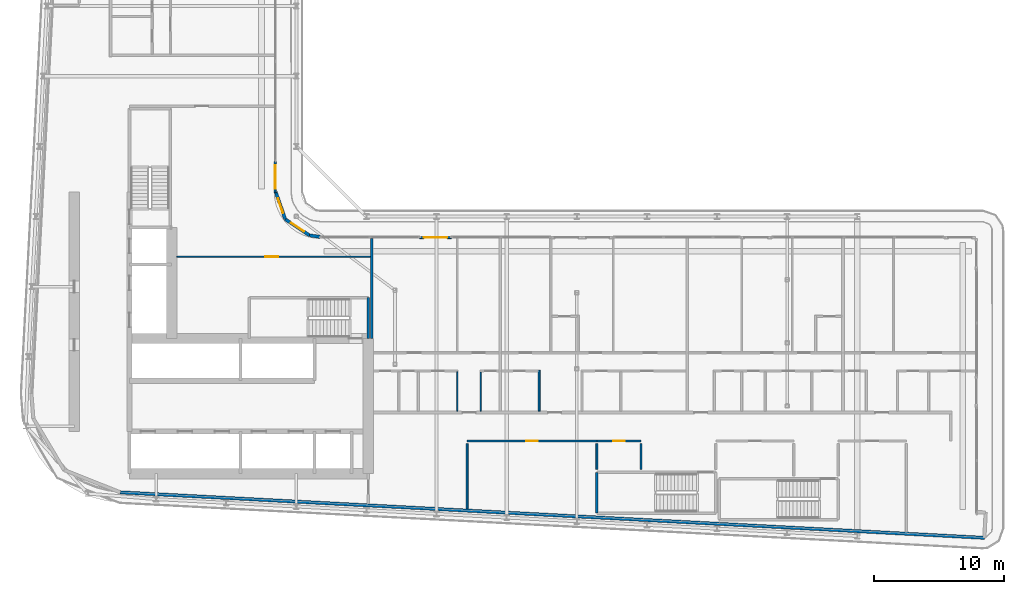
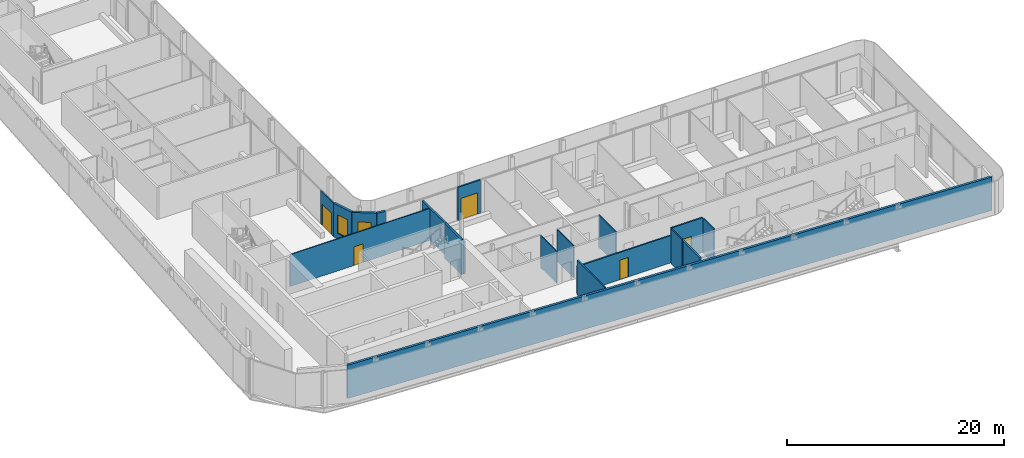
# One storey, part 16 of 29: 18 walls, 5 doors, 2 windows, 7 openings.
"""IFC4 building model written with IfcOpenShell, lengths in metres."""

from ifc_helpers import new_model, si_unit, direction, frame, frame_2d, origin, place, context, subcontext, project, spatial, rectangle, extrude, source, transform, mapped, material, layer, layer_set, type_object, element, fill, save


model = new_model("IFC4")

# Units and contexts
model_context = context("Model", 3, precision=1e-05, world=origin(), true_north=direction((0.0, 1.0)))
body_context = subcontext(model_context, "Body", "Model", "MODEL_VIEW")
ifc_project = project(units=[si_unit("LENGTHUNIT", "METRE"), si_unit("AREAUNIT", "SQUARE_METRE"), si_unit("VOLUMEUNIT", "CUBIC_METRE"), si_unit("PLANEANGLEUNIT", "RADIAN"), si_unit("MASSUNIT", "GRAM", prefix="KILO")], contexts=[model_context])

# Site, building, storey
site_placement = place(None, origin())
site = spatial("IfcSite", under=ifc_project, at=site_placement, CompositionType="ELEMENT")
building_placement = place(site_placement, origin())
building = spatial("IfcBuilding", under=site, at=building_placement, Name="Kheshtan School and Residences Tower", CompositionType="ELEMENT")
storey_placement = place(building_placement, frame((0.0, 0.0, 179.89990234375)))
storey = spatial("IfcBuildingStorey", under=building, at=storey_placement, Name="L42", CompositionType="ELEMENT", Elevation=179.89990234375)

# Wall, opening, window
ifc_material_1 = material(Name="Concrete C40/50 with ceramic cladding and mineral wool insulation", Category="concrete")
ifc_layer_1 = layer(ifc_material_1, 0.25)
ifc_layer_set_1 = layer_set([ifc_layer_1], Name="External wall 250 ceramic clad")
wall_type_1 = type_object("IfcWallType", Name="External wall 250 ceramic clad", PredefinedType="SOLIDWALL", material=ifc_layer_set_1)
wall_1_placement = place(storey_placement, frame((46.01806640625, 47.470947265625, 0.0), z_axis=(0.0, 0.0, 1.0), x_axis=(0.328791208903, -0.944402637093, 0.0)))
wall_1 = element("IfcWall", 1, at=wall_1_placement, inside=storey, type_object=wall_type_1, Name="External wall L42 9", PredefinedType="SOLIDWALL", context=body_context, shape_type="SweptSolid", body=[
    extrude(rectangle(XDim=2.20458984375, YDim=0.25, at=frame_2d((1.102294921875, 0.0))), origin(), (0.0, 0.0, 1.0), 3.75),
])
opening_1_placement = place(wall_1_placement, frame((0.5029296875, 0.0, 0.60009765625)))
opening_1 = element("IfcOpeningElement", 2, at=opening_1_placement, cuts=wall_1, Name="Opening WN-E", PredefinedType="OPENING", context=body_context, shape_type="SweptSolid", body=[
    extrude(rectangle(XDim=1.199951171875, YDim=2.10009765625, at=frame_2d((0.60009765625, 1.050048828125))), frame((0.0, 0.135009765625, 0.0), z_axis=(0.0, -1.0, 0.0), x_axis=(1.0, 0.0, 0.0)), (0.0, 0.0, 1.0), 0.27001953125),
])
ifc_material_2 = material(Name="Clear low-e glass in thermally broken aluminium frame", Category="aluminium")
window_type = type_object("IfcWindowType", Name="Window WN-E", PartitioningType="SINGLE_PANEL", PredefinedType="WINDOW", material=ifc_material_2)
shared_shape_1 = source(origin(), body_context, "Body", "SweptSolid", [
    extrude(rectangle(XDim=1.199951171875, YDim=2.10009765625, at=frame_2d((0.60009765625, 1.050048828125))), frame((0.0, 0.030029296875, 0.0), z_axis=(0.0, -1.0, 0.0), x_axis=(1.0, 0.0, 0.0)), (0.0, 0.0, 1.0), 0.06005859375),
])
window_1_placement = place(opening_1_placement, origin())
window_1 = element("IfcWindow", 3, at=window_1_placement, inside=storey, type_object=window_type, Name="Window L42 9", OverallHeight=2.10009765625, OverallWidth=1.199951171875, PartitioningType="SINGLE_PANEL", PredefinedType="WINDOW", context=body_context, shape_type="MappedRepresentation", body=[
    mapped(shared_shape_1, transform((0.0, 0.0, 0.0), x_axis=(1.0, 0.0, 0.0), y_axis=(0.0, 1.0, 0.0), z_axis=(0.0, 0.0, 1.0), scale=1.0)),
])
fill(opening_1, window_1)

wall_2_placement = place(storey_placement, frame((46.742919921875, 45.388916015625, 0.0), z_axis=(0.0, 0.0, 1.0), x_axis=(0.831449265529, -0.555600682912, 0.0)))
wall_2 = element("IfcWall", 4, at=wall_2_placement, inside=storey, type_object=wall_type_1, Name="External wall L42 10", PredefinedType="SOLIDWALL", context=body_context, shape_type="SweptSolid", body=[
    extrude(rectangle(XDim=2.25146484375, YDim=0.25, at=frame_2d((1.125732421875, 0.0))), origin(), (0.0, 0.0, 1.0), 3.75),
])
opening_2_placement = place(wall_2_placement, frame((0.52490234375, 0.0, 0.60009765625)))
opening_2 = element("IfcOpeningElement", 5, at=opening_2_placement, cuts=wall_2, Name="Opening WN-E", PredefinedType="OPENING", context=body_context, shape_type="SweptSolid", body=[
    extrude(rectangle(XDim=1.199951171875, YDim=2.10009765625, at=frame_2d((0.60009765625, 1.050048828125))), frame((0.0, 0.135009765625, 0.0), z_axis=(0.0, -1.0, 0.0), x_axis=(1.0, 0.0, 0.0)), (0.0, 0.0, 1.0), 0.27001953125),
])
window_2_placement = place(opening_2_placement, origin())
window_2 = element("IfcWindow", 6, at=window_2_placement, inside=storey, type_object=window_type, Name="Window L42 10", OverallHeight=2.10009765625, OverallWidth=1.199951171875, PartitioningType="SINGLE_PANEL", PredefinedType="WINDOW", context=body_context, shape_type="MappedRepresentation", body=[
    mapped(shared_shape_1, transform((0.0, 0.0, 0.0), x_axis=(1.0, 0.0, 0.0), y_axis=(0.0, 1.0, 0.0), z_axis=(0.0, 0.0, 1.0), scale=1.0)),
])
fill(opening_2, window_2)

# Walls
wall_3_placement = place(storey_placement, frame((48.614990234375, 44.137939453125, 0.0), z_axis=(0.0, 0.0, 1.0), x_axis=(0.990741504246, -0.135761819977, 0.0)))
element("IfcWall", 7, at=wall_3_placement, inside=storey, type_object=wall_type_1, Name="External wall L42 11", PredefinedType="SOLIDWALL", context=body_context, shape_type="SweptSolid", body=[
    extrude(rectangle(XDim=0.83984375, YDim=0.25, at=frame_2d((0.419921875, 0.0))), origin(), (0.0, 0.0, 1.0), 3.75),
])
wall_4_placement = place(storey_placement, frame((100.5859375, 20.85009765625, 0.0), z_axis=(0.0, 0.0, 1.0), x_axis=(-0.99861746497, 0.052565755559, 0.0)))
element("IfcWall", 8, at=wall_4_placement, inside=storey, type_object=wall_type_1, Name="External wall L42 16", PredefinedType="SOLIDWALL", context=body_context, shape_type="SweptSolid", body=[
    extrude(rectangle(XDim=66.638916015625, YDim=0.25, at=frame_2d((33.3193359375, 0.0))), origin(), (0.0, 0.0, 1.0), 3.75),
])

# Wall, opening, door
ifc_material_3 = material(Name="Aluminium frame wall with insulated infill", Category="aluminium")
ifc_layer_2 = layer(ifc_material_3, 0.14990234375)
ifc_layer_set_2 = layer_set([ifc_layer_2], Name="Glazing frame wall 150")
wall_type_2 = type_object("IfcWallType", Name="Glazing frame wall 150", PredefinedType="SOLIDWALL", material=ifc_layer_set_2)
wall_5_placement = place(storey_placement, frame((45.97509765625, 49.830078125, 0.0), z_axis=(0.0, 0.0, 1.0), x_axis=(0.0, -1.0, 0.0)))
wall_5 = element("IfcWall", 9, at=wall_5_placement, inside=storey, type_object=wall_type_2, Name="Balcony door wall L42 8.5", PredefinedType="SOLIDWALL", context=body_context, shape_type="SweptSolid", body=[
    extrude(rectangle(XDim=2.400146484375, YDim=0.14990234375, at=frame_2d((1.2001953125, 0.0))), origin(), (0.0, 0.0, 1.0), 3.75),
])
opening_3_placement = place(wall_5_placement, frame((0.300048828125, 0.0, 0.0)))
opening_3 = element("IfcOpeningElement", 10, at=opening_3_placement, cuts=wall_5, Name="Opening BD", PredefinedType="OPENING", context=body_context, shape_type="SweptSolid", body=[
    extrude(rectangle(XDim=1.800048828125, YDim=2.39990234375, at=frame_2d((0.89990234375, 1.199951171875))), frame((0.0, 0.0849609375, 0.0), z_axis=(0.0, -1.0, 0.0), x_axis=(1.0, 0.0, 0.0)), (0.0, 0.0, 1.0), 0.169921875),
])
door_type_1 = type_object("IfcDoorType", Name="Balcony sliding door", OperationType="SLIDING_TO_LEFT", PredefinedType="DOOR", material=ifc_material_2)
shared_shape_2 = source(origin(), body_context, "Body", "SweptSolid", [
    extrude(rectangle(XDim=1.800048828125, YDim=2.39990234375, at=frame_2d((0.89990234375, 1.199951171875))), frame((0.0, 0.02490234375, 0.0), z_axis=(0.0, -1.0, 0.0), x_axis=(1.0, 0.0, 0.0)), (0.0, 0.0, 1.0), 0.050048828125),
])
door_1_placement = place(opening_3_placement, origin())
door_1 = element("IfcDoor", 11, at=door_1_placement, inside=storey, type_object=door_type_1, Name="Balcony door L42 8.5", OperationType="SLIDING_TO_LEFT", OverallHeight=2.39990234375, OverallWidth=1.800048828125, PredefinedType="DOOR", context=body_context, shape_type="MappedRepresentation", body=[
    mapped(shared_shape_2, transform((0.0, 0.0, 0.0), x_axis=(1.0, 0.0, 0.0), y_axis=(0.0, 1.0, 0.0), z_axis=(0.0, 0.0, 1.0), scale=1.0)),
])
fill(opening_3, door_1)

wall_6_placement = place(storey_placement, frame((57.1240234375, 43.97509765625, 0.0), z_axis=(0.0, 0.0, 1.0), x_axis=(1.0, 0.0, 0.0)))
wall_6 = element("IfcWall", 12, at=wall_6_placement, inside=storey, type_object=wall_type_2, Name="Balcony door wall L42 12.1", PredefinedType="SOLIDWALL", context=body_context, shape_type="SweptSolid", body=[
    extrude(rectangle(XDim=2.39990234375, YDim=0.14990234375, at=frame_2d((1.199951171875, 0.0))), origin(), (0.0, 0.0, 1.0), 3.75),
])
opening_4_placement = place(wall_6_placement, frame((0.300048828125, 0.0, 0.0)))
opening_4 = element("IfcOpeningElement", 13, at=opening_4_placement, cuts=wall_6, Name="Opening BD", PredefinedType="OPENING", context=body_context, shape_type="SweptSolid", body=[
    extrude(rectangle(XDim=1.800048828125, YDim=2.39990234375, at=frame_2d((0.89990234375, 1.199951171875))), frame((0.0, 0.0849609375, 0.0), z_axis=(0.0, -1.0, 0.0), x_axis=(1.0, 0.0, 0.0)), (0.0, 0.0, 1.0), 0.169921875),
])
door_2_placement = place(opening_4_placement, origin())
door_2 = element("IfcDoor", 14, at=door_2_placement, inside=storey, type_object=door_type_1, Name="Balcony door L42 12.1", OperationType="SLIDING_TO_LEFT", OverallHeight=2.39990234375, OverallWidth=1.800048828125, PredefinedType="DOOR", context=body_context, shape_type="MappedRepresentation", body=[
    mapped(shared_shape_2, transform((0.0, 0.0, 0.0), x_axis=(1.0, 0.0, 0.0), y_axis=(0.0, 1.0, 0.0), z_axis=(0.0, 0.0, 1.0), scale=1.0)),
])
fill(opening_4, door_2)

ifc_material_4 = material(Name="Gypsum board on steel studs", Category="steel")
ifc_layer_3 = layer(ifc_material_4, 0.10009765625)
ifc_layer_set_3 = layer_set([ifc_layer_3], Name="Gypsum partition 100")
wall_type_3 = type_object("IfcWallType", Name="Gypsum partition 100", PredefinedType="PARTITIONING", material=ifc_layer_set_3)
wall_7_placement = place(storey_placement, frame((38.39892578125, 42.5, 0.0), z_axis=(0.0, 0.0, 1.0), x_axis=(1.0, 0.0, 0.0)))
wall_7 = element("IfcWall", 15, at=wall_7_placement, inside=storey, type_object=wall_type_3, Name="Partition L42-029", PredefinedType="PARTITIONING", context=body_context, shape_type="SweptSolid", body=[
    extrude(rectangle(XDim=14.901123046875, YDim=0.10009765625, at=frame_2d((7.45068359375, 0.0))), origin(), (0.0, 0.0, 1.0), 3.60009765625),
])
opening_5_placement = place(wall_7_placement, frame((6.801025390625, 0.0, 0.0)))
opening_5 = element("IfcOpeningElement", 16, at=opening_5_placement, cuts=wall_7, Name="Opening D41-049", PredefinedType="OPENING", context=body_context, shape_type="SweptSolid", body=[
    extrude(rectangle(XDim=1.0, YDim=2.10009765625, at=frame_2d((0.5, 1.050048828125))), frame((0.0, 0.06005859375, 0.0), z_axis=(0.0, -1.0, 0.0), x_axis=(1.0, 0.0, 0.0)), (0.0, 0.0, 1.0), 0.1201171875),
])
ifc_material_5 = material(Name="Veneered timber door leaf", Category="wood")
door_type_2 = type_object("IfcDoorType", Name="Door 1000 x 2100", OperationType="SINGLE_SWING_LEFT", PredefinedType="DOOR", material=ifc_material_5)
shared_shape_3 = source(origin(), body_context, "Body", "SweptSolid", [
    extrude(rectangle(XDim=1.0, YDim=2.10009765625, at=frame_2d((0.5, 1.050048828125))), frame((0.0, 0.02490234375, 0.0), z_axis=(0.0, -1.0, 0.0), x_axis=(1.0, 0.0, 0.0)), (0.0, 0.0, 1.0), 0.050048828125),
])
door_3_placement = place(opening_5_placement, origin())
door_3 = element("IfcDoor", 17, at=door_3_placement, inside=storey, type_object=door_type_2, Name="Door D41-049", OperationType="SINGLE_SWING_LEFT", OverallHeight=2.10009765625, OverallWidth=1.0, PredefinedType="DOOR", context=body_context, shape_type="MappedRepresentation", body=[
    mapped(shared_shape_3, transform((0.0, 0.0, 0.0), x_axis=(1.0, 0.0, 0.0), y_axis=(0.0, 1.0, 0.0), z_axis=(0.0, 0.0, 1.0), scale=1.0)),
])
fill(opening_5, door_3)

# Walls
for number, where, z_axis, x_axis, name in (
    (18, (60.0, 30.60009765625, 0.0), (0.0, 0.0, 1.0), (0.0, 1.0, 0.0), "Partition L42-037"),
    (19, (61.800048828125, 30.60009765625, 0.0), (0.0, 0.0, 1.0), (0.0, 1.0, 0.0), "Partition L42-040"),
):
    element("IfcWall", number, at=place(storey_placement, frame(where, z_axis=z_axis, x_axis=x_axis)), inside=storey, type_object=wall_type_3, Name=name, PredefinedType="PARTITIONING", context=body_context, shape_type="SweptSolid", body=[
        extrude(rectangle(XDim=3.02490234375, YDim=0.10009765625, at=frame_2d((1.512451171875, 0.0))), origin(), (0.0, 0.0, 1.0), 3.60009765625),
    ])

# Wall, opening, door
ifc_material_6 = material(Name="Fire-board shaft wall system")
ifc_layer_4 = layer(ifc_material_6, 0.14990234375)
ifc_layer_set_4 = layer_set([ifc_layer_4], Name="Service room wall 150")
wall_type_4 = type_object("IfcWallType", Name="Service room wall 150", PredefinedType="PARTITIONING", material=ifc_layer_set_4)
wall_8_placement = place(storey_placement, frame((60.75, 28.300048828125, 0.0), z_axis=(0.0, 0.0, 1.0), x_axis=(1.0, 0.0, 0.0)))
wall_8 = element("IfcWall", 20, at=wall_8_placement, inside=storey, type_object=wall_type_4, Name="Service room wall", PredefinedType="PARTITIONING", context=body_context, shape_type="SweptSolid", body=[
    extrude(rectangle(XDim=10.0, YDim=0.14990234375, at=frame_2d((5.0, 0.0))), origin(), (0.0, 0.0, 1.0), 3.072021484375),
])
opening_6_placement = place(wall_8_placement, frame((4.550048828125, 0.0, 0.0)))
opening_6 = element("IfcOpeningElement", 21, at=opening_6_placement, cuts=wall_8, Name="Opening SR90", PredefinedType="OPENING", context=body_context, shape_type="SweptSolid", body=[
    extrude(rectangle(XDim=0.89990234375, YDim=2.199951171875, at=frame_2d((0.449951171875, 1.10009765625))), frame((0.0, 0.0849609375, 0.0), z_axis=(0.0, -1.0, 0.0), x_axis=(1.0, 0.0, 0.0)), (0.0, 0.0, 1.0), 0.169921875),
])
ifc_material_7 = material(Name="Steel door leaf, galvanised", Category="steel")
door_type_3 = type_object("IfcDoorType", Name="Service room door 900 steel 90 min", OperationType="SINGLE_SWING_LEFT", PredefinedType="DOOR", material=ifc_material_7)
shared_shape_4 = source(origin(), body_context, "Body", "SweptSolid", [
    extrude(rectangle(XDim=0.89990234375, YDim=2.199951171875, at=frame_2d((0.449951171875, 1.10009765625))), frame((0.0, 0.02490234375, 0.0), z_axis=(0.0, -1.0, 0.0), x_axis=(1.0, 0.0, 0.0)), (0.0, 0.0, 1.0), 0.050048828125),
])
door_4_placement = place(opening_6_placement, origin())
door_4 = element("IfcDoor", 22, at=door_4_placement, inside=storey, type_object=door_type_3, Name="Service room door", OperationType="SINGLE_SWING_LEFT", OverallHeight=2.199951171875, OverallWidth=0.89990234375, PredefinedType="DOOR", context=body_context, shape_type="MappedRepresentation", body=[
    mapped(shared_shape_4, transform((0.0, 0.0, 0.0), x_axis=(1.0, 0.0, 0.0), y_axis=(0.0, 1.0, 0.0), z_axis=(0.0, 0.0, 1.0), scale=1.0)),
])
fill(opening_6, door_4)

# Walls
wall_9_placement = place(storey_placement, frame((60.75, 23.074951171875, 0.0), z_axis=(0.0, 0.0, 1.0), x_axis=(0.0, 1.0, 0.0)))
element("IfcWall", 23, at=wall_9_placement, inside=storey, type_object=wall_type_4, Name="Service room wall", PredefinedType="PARTITIONING", context=body_context, shape_type="SweptSolid", body=[
    extrude(rectangle(XDim=5.030029296875, YDim=0.14990234375, at=frame_2d((2.51513671875, 0.0))), origin(), (0.0, 0.0, 1.0), 3.900146484375),
])
wall_10_placement = place(storey_placement, frame((70.75, 26.1201171875, 0.0), z_axis=(0.0, 0.0, 1.0), x_axis=(0.0, 1.0, 0.0)))
element("IfcWall", 24, at=wall_10_placement, inside=storey, type_object=wall_type_4, Name="Service room wall", PredefinedType="PARTITIONING", context=body_context, shape_type="SweptSolid", body=[
    extrude(rectangle(XDim=1.98486328125, YDim=0.14990234375, at=frame_2d((0.992431640625, 0.0))), origin(), (0.0, 0.0, 1.0), 3.900146484375),
])

# Wall, opening, door
wall_11_placement = place(storey_placement, frame((70.75, 28.300048828125, 0.0), z_axis=(0.0, 0.0, 1.0), x_axis=(1.0, 0.0, 0.0)))
wall_11 = element("IfcWall", 25, at=wall_11_placement, inside=storey, type_object=wall_type_4, Name="Service room wall", PredefinedType="PARTITIONING", context=body_context, shape_type="SweptSolid", body=[
    extrude(rectangle(XDim=3.39404296875, YDim=0.14990234375, at=frame_2d((1.697021484375, 0.0))), origin(), (0.0, 0.0, 1.0), 3.900146484375),
])
opening_7_placement = place(wall_11_placement, frame((1.2470703125, 0.0, 0.0)))
opening_7 = element("IfcOpeningElement", 26, at=opening_7_placement, cuts=wall_11, Name="Opening SR90", PredefinedType="OPENING", context=body_context, shape_type="SweptSolid", body=[
    extrude(rectangle(XDim=0.89990234375, YDim=2.199951171875, at=frame_2d((0.449951171875, 1.10009765625))), frame((0.0, 0.0849609375, 0.0), z_axis=(0.0, -1.0, 0.0), x_axis=(1.0, 0.0, 0.0)), (0.0, 0.0, 1.0), 0.169921875),
])
door_5_placement = place(opening_7_placement, origin())
door_5 = element("IfcDoor", 27, at=door_5_placement, inside=storey, type_object=door_type_3, Name="Service room door", OperationType="SINGLE_SWING_LEFT", OverallHeight=2.199951171875, OverallWidth=0.89990234375, PredefinedType="DOOR", context=body_context, shape_type="MappedRepresentation", body=[
    mapped(shared_shape_4, transform((0.0, 0.0, 0.0), x_axis=(1.0, 0.0, 0.0), y_axis=(0.0, 1.0, 0.0), z_axis=(0.0, 0.0, 1.0), scale=1.0)),
])
fill(opening_7, door_5)

# Walls
wall_12_placement = place(storey_placement, frame((74.14404296875, 26.1201171875, 0.0), z_axis=(0.0, 0.0, 1.0), x_axis=(0.0, 1.0, 0.0)))
element("IfcWall", 28, at=wall_12_placement, inside=storey, type_object=wall_type_4, Name="Service room wall", PredefinedType="PARTITIONING", context=body_context, shape_type="SweptSolid", body=[
    extrude(rectangle(XDim=1.98486328125, YDim=0.14990234375, at=frame_2d((0.992431640625, 0.0))), origin(), (0.0, 0.0, 1.0), 3.900146484375),
])
ifc_material_8 = material(Name="Concrete C40/50", Category="concrete")
ifc_layer_5 = layer(ifc_material_8, 0.199951171875)
ifc_layer_set_5 = layer_set([ifc_layer_5], Name="Stair enclosure wall 200 Concrete C40/50")
wall_type_5 = type_object("IfcWallType", Name="Stair enclosure wall 200 Concrete C40/50", PredefinedType="SHEAR", material=ifc_layer_set_5)
wall_13_placement = place(storey_placement, frame((53.14990234375, 36.199951171875, 0.0), z_axis=(0.0, 0.0, 1.0), x_axis=(0.0, 1.0, 0.0)))
element("IfcWall", 29, at=wall_13_placement, inside=storey, type_object=wall_type_5, Name="Stair enclosure wall ST1", PredefinedType="SHEAR", context=body_context, shape_type="SweptSolid", body=[
    extrude(rectangle(XDim=3.150146484375, YDim=0.199951171875, at=frame_2d((1.5751953125, 0.0))), origin(), (0.0, 0.0, 1.0), 3.900146484375),
])
wall_14_placement = place(storey_placement, frame((70.75, 22.75, 0.0), z_axis=(0.0, 0.0, 1.0), x_axis=(0.0, 1.0, 0.0)))
element("IfcWall", 30, at=wall_14_placement, inside=storey, type_object=wall_type_5, Name="Stair enclosure wall ST5", PredefinedType="SHEAR", context=body_context, shape_type="SweptSolid", body=[
    extrude(rectangle(XDim=3.14990234375, YDim=0.199951171875, at=frame_2d((1.574951171875, 0.0))), origin(), (0.0, 0.0, 1.0), 3.900146484375),
])
ifc_material_9 = material(Name="Twin gypsum board on steel studs with mineral wool", Category="steel")
ifc_layer_6 = layer(ifc_material_9, 0.199951171875)
ifc_layer_set_6 = layer_set([ifc_layer_6], Name="Unit demising wall 200")
wall_type_6 = type_object("IfcWallType", Name="Unit demising wall 200", PredefinedType="PARTITIONING", material=ifc_layer_set_6)
wall_15_placement = place(storey_placement, frame((53.39990234375, 36.198974609375, 0.0), z_axis=(0.0, 0.0, 1.0), x_axis=(0.0, 1.0, 0.0)))
element("IfcWall", 31, at=wall_15_placement, inside=storey, type_object=wall_type_6, Name="Partition L42-031", PredefinedType="PARTITIONING", context=body_context, shape_type="SweptSolid", body=[
    extrude(rectangle(XDim=7.700927734375, YDim=0.199951171875, at=frame_2d((3.8505859375, 0.0))), origin(), (0.0, 0.0, 1.0), 3.60009765625),
])
ifc_material_10 = material(Name="Moisture-resistant gypsum board on steel studs", Category="steel")
ifc_layer_7 = layer(ifc_material_10, 0.14990234375)
ifc_layer_set_7 = layer_set([ifc_layer_7], Name="Wet-room partition 150")
wall_type_7 = type_object("IfcWallType", Name="Wet-room partition 150", PredefinedType="PARTITIONING", material=ifc_layer_set_7)
wall_16_placement = place(storey_placement, frame((66.300048828125, 30.60009765625, 0.0), z_axis=(0.0, 0.0, 1.0), x_axis=(0.0, 1.0, 0.0)))
element("IfcWall", 32, at=wall_16_placement, inside=storey, type_object=wall_type_7, Name="Partition L42-044", PredefinedType="PARTITIONING", context=body_context, shape_type="SweptSolid", body=[
    extrude(rectangle(XDim=3.1748046875, YDim=0.14990234375, at=frame_2d((1.58740234375, 0.0))), origin(), (0.0, 0.0, 1.0), 3.60009765625),
])

save(model, "model.ifc")
